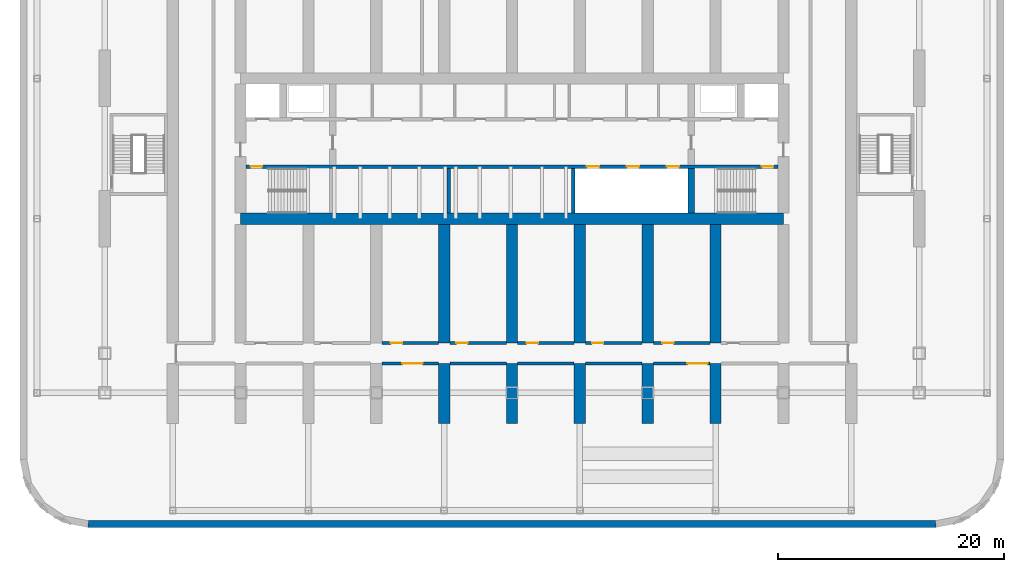
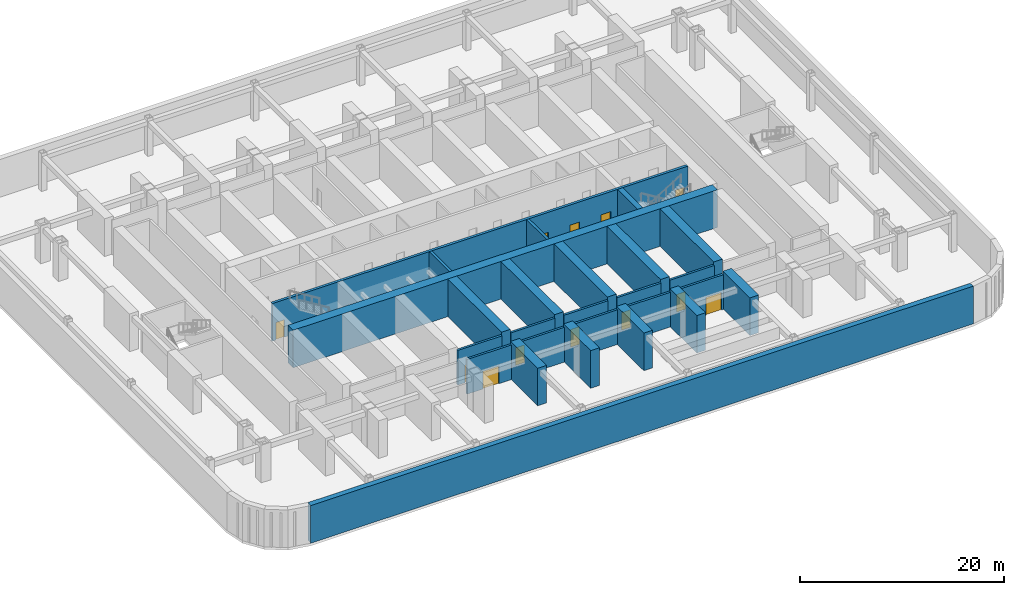
# One storey, part 3 of 16: 26 walls, 12 doors, 12 openings.
"""IFC4 building model written with IfcOpenShell, lengths in metres."""

from ifc_helpers import new_model, si_unit, direction, frame, frame_2d, origin, place, context, subcontext, project, spatial, polyline, rectangle, outline, extrude, material, layer, layer_set, type_object, element, fill, save


model = new_model("IFC4")

# Units and contexts
model_context = context("Model", 3, precision=1e-05, world=origin(), true_north=direction((0.0, 1.0)))
body_context = subcontext(model_context, "Body", "Model", "MODEL_VIEW")
ifc_project = project(units=[si_unit("LENGTHUNIT", "METRE"), si_unit("AREAUNIT", "SQUARE_METRE"), si_unit("VOLUMEUNIT", "CUBIC_METRE"), si_unit("PLANEANGLEUNIT", "RADIAN"), si_unit("MASSUNIT", "GRAM", prefix="KILO")], contexts=[model_context])

# Site, building, storey
site_placement = place(None, origin())
site = spatial("IfcSite", under=ifc_project, at=site_placement, CompositionType="ELEMENT")
building_placement = place(site_placement, origin())
building = spatial("IfcBuilding", under=site, at=building_placement, Name="Orbita Commons", CompositionType="ELEMENT")
storey_placement = place(building_placement, frame((0.0, 0.0, -4.5)))
storey = spatial("IfcBuildingStorey", under=building, at=storey_placement, Name="L-01", CompositionType="ELEMENT", Elevation=-4.5)

# Wall, opening, door
ifc_material_1 = material(Name="Concrete blockwork", Category="masonry")
ifc_layer_1 = layer(ifc_material_1, 0.25)
ifc_layer_set_1 = layer_set([ifc_layer_1], Name="Concrete blockwork")
wall_type_1 = type_object("IfcWallType", Name="Basement wall 250 blockwork", PredefinedType="SOLIDWALL", material=ifc_layer_set_1)
wall_1_placement = place(storey_placement, frame((30.5, 13.0, 0.0), z_axis=(0.0, 0.0, 1.0), x_axis=(1.0, 0.0, 0.0)))
wall_1 = element("IfcWall", 1, at=wall_1_placement, inside=storey, type_object=wall_type_1, Name="Basement wall 250 blockwork L-01", PredefinedType="SOLIDWALL", context=body_context, shape_type="SweptSolid", body=[
    extrude(rectangle(XDim=5.0, YDim=0.25, at=frame_2d((2.5, 0.0))), origin(), (0.0, 0.0, 1.0), 4.14990234375),
])
opening_1_placement = place(wall_1_placement, frame((1.800048828125, 0.0, 0.0)))
opening_1 = element("IfcOpeningElement", 2, at=opening_1_placement, cuts=wall_1, Name="Opening D07", PredefinedType="OPENING", context=body_context, shape_type="SweptSolid", body=[
    extrude(rectangle(XDim=1.800048828125, YDim=2.10009765625, at=frame_2d((0.89990234375, 1.050048828125))), frame((0.0, 0.135009765625, 0.0), z_axis=(0.0, -1.0, 0.0), x_axis=(1.0, 0.0, 0.0)), (0.0, 0.0, 1.0), 0.27001953125),
])
ifc_material_2 = material(Name="Steel-faced fire door leaf", Category="steel")
door_type_1 = type_object("IfcDoorType", Name="Double corridor door 20 min 1800x2100", OperationType="DOUBLE_DOOR_SINGLE_SWING", PredefinedType="DOOR", material=ifc_material_2)
door_1_placement = place(opening_1_placement, origin())
door_1 = element("IfcDoor", 3, at=door_1_placement, inside=storey, type_object=door_type_1, Name="Hall doors south", OperationType="DOUBLE_DOOR_SINGLE_SWING", OverallHeight=2.10009765625, OverallWidth=1.800048828125, PredefinedType="DOOR", context=body_context, shape_type="SweptSolid", body=[
    extrude(rectangle(XDim=1.800048828125, YDim=2.10009765625, at=frame_2d((0.89990234375, 1.050048828125))), frame((0.0, 0.02490234375, 0.0), z_axis=(0.0, -1.0, 0.0), x_axis=(1.0, 0.0, 0.0)), (0.0, 0.0, 1.0), 0.050048828125),
])
fill(opening_1, door_1)

# Walls
for number, where, z_axis, x_axis, name in (
    (4, (36.5, 13.0, 0.0), (0.0, 0.0, 1.0), (1.0, 0.0, 0.0), "Basement wall 250 blockwork L-01"),
    (5, (42.5, 13.0, 0.0), (0.0, 0.0, 1.0), (1.0, 0.0, 0.0), "Basement wall 250 blockwork L-01"),
    (6, (48.5, 13.0, 0.0), (0.0, 0.0, 1.0), (1.0, 0.0, 0.0), "Basement wall 250 blockwork L-01"),
):
    element("IfcWall", number, at=place(storey_placement, frame(where, z_axis=z_axis, x_axis=x_axis)), inside=storey, type_object=wall_type_1, Name=name, PredefinedType="SOLIDWALL", context=body_context, shape_type="SweptSolid", body=[
        extrude(rectangle(XDim=5.0, YDim=0.25, at=frame_2d((2.5, 0.0))), origin(), (0.0, 0.0, 1.0), 4.14990234375),
    ])

# Wall, opening, door
wall_2_placement = place(storey_placement, frame((54.5, 13.0, 0.0), z_axis=(0.0, 0.0, 1.0), x_axis=(1.0, 0.0, 0.0)))
wall_2 = element("IfcWall", 7, at=wall_2_placement, inside=storey, type_object=wall_type_1, Name="Basement wall 250 blockwork L-01", PredefinedType="SOLIDWALL", context=body_context, shape_type="SweptSolid", body=[
    extrude(rectangle(XDim=5.0, YDim=0.25, at=frame_2d((2.5, 0.0))), origin(), (0.0, 0.0, 1.0), 4.14990234375),
])
opening_2_placement = place(wall_2_placement, frame((3.0, 0.0, 0.0)))
opening_2 = element("IfcOpeningElement", 8, at=opening_2_placement, cuts=wall_2, Name="Opening D07", PredefinedType="OPENING", context=body_context, shape_type="SweptSolid", body=[
    extrude(rectangle(XDim=1.800048828125, YDim=2.10009765625, at=frame_2d((0.89990234375, 1.050048828125))), frame((0.0, 0.135009765625, 0.0), z_axis=(0.0, -1.0, 0.0), x_axis=(1.0, 0.0, 0.0)), (0.0, 0.0, 1.0), 0.27001953125),
])
door_2_placement = place(opening_2_placement, origin())
door_2 = element("IfcDoor", 9, at=door_2_placement, inside=storey, type_object=door_type_1, Name="Hall doors south", OperationType="DOUBLE_DOOR_SINGLE_SWING", OverallHeight=2.10009765625, OverallWidth=1.800048828125, PredefinedType="DOOR", context=body_context, shape_type="SweptSolid", body=[
    extrude(rectangle(XDim=1.800048828125, YDim=2.10009765625, at=frame_2d((0.89990234375, 1.050048828125))), frame((0.0, 0.02490234375, 0.0), z_axis=(0.0, -1.0, 0.0), x_axis=(1.0, 0.0, 0.0)), (0.0, 0.0, 1.0), 0.050048828125),
])
fill(opening_2, door_2)

wall_3_placement = place(storey_placement, frame((30.5, 14.800048828125, 0.0), z_axis=(0.0, 0.0, 1.0), x_axis=(1.0, 0.0, 0.0)))
wall_3 = element("IfcWall", 10, at=wall_3_placement, inside=storey, type_object=wall_type_1, Name="Basement wall 250 blockwork L-01", PredefinedType="SOLIDWALL", context=body_context, shape_type="SweptSolid", body=[
    extrude(rectangle(XDim=5.0, YDim=0.25, at=frame_2d((2.5, 0.0))), origin(), (0.0, 0.0, 1.0), 4.14990234375),
])
opening_3_placement = place(wall_3_placement, frame((0.800048828125, 0.0, 0.0)))
opening_3 = element("IfcOpeningElement", 11, at=opening_3_placement, cuts=wall_3, Name="Opening D06", PredefinedType="OPENING", context=body_context, shape_type="SweptSolid", body=[
    extrude(rectangle(XDim=1.0, YDim=2.10009765625, at=frame_2d((0.5, 1.050048828125))), frame((0.0, 0.135009765625, 0.0), z_axis=(0.0, -1.0, 0.0), x_axis=(1.0, 0.0, 0.0)), (0.0, 0.0, 1.0), 0.27001953125),
])
ifc_material_3 = material(Name="Steel-faced fire door leaf", Category="steel")
door_type_2 = type_object("IfcDoorType", Name="Corridor door 20 min 1000x2100", OperationType="SINGLE_SWING_LEFT", PredefinedType="DOOR", material=ifc_material_3)
door_3_placement = place(opening_3_placement, origin())
door_3 = element("IfcDoor", 12, at=door_3_placement, inside=storey, type_object=door_type_2, Name="Room door", OperationType="SINGLE_SWING_LEFT", OverallHeight=2.10009765625, OverallWidth=1.0, PredefinedType="DOOR", context=body_context, shape_type="SweptSolid", body=[
    extrude(rectangle(XDim=1.0, YDim=2.10009765625, at=frame_2d((0.5, 1.050048828125))), frame((0.0, 0.02490234375, 0.0), z_axis=(0.0, -1.0, 0.0), x_axis=(1.0, 0.0, 0.0)), (0.0, 0.0, 1.0), 0.050048828125),
])
fill(opening_3, door_3)

wall_4_placement = place(storey_placement, frame((36.5, 14.800048828125, 0.0), z_axis=(0.0, 0.0, 1.0), x_axis=(1.0, 0.0, 0.0)))
wall_4 = element("IfcWall", 13, at=wall_4_placement, inside=storey, type_object=wall_type_1, Name="Basement wall 250 blockwork L-01", PredefinedType="SOLIDWALL", context=body_context, shape_type="SweptSolid", body=[
    extrude(rectangle(XDim=5.0, YDim=0.25, at=frame_2d((2.5, 0.0))), origin(), (0.0, 0.0, 1.0), 4.14990234375),
])
opening_4_placement = place(wall_4_placement, frame((0.574951171875, 0.0, 0.0)))
opening_4 = element("IfcOpeningElement", 14, at=opening_4_placement, cuts=wall_4, Name="Opening D06", PredefinedType="OPENING", context=body_context, shape_type="SweptSolid", body=[
    extrude(rectangle(XDim=1.0, YDim=2.10009765625, at=frame_2d((0.5, 1.050048828125))), frame((0.0, 0.135009765625, 0.0), z_axis=(0.0, -1.0, 0.0), x_axis=(1.0, 0.0, 0.0)), (0.0, 0.0, 1.0), 0.27001953125),
])
door_4_placement = place(opening_4_placement, origin())
door_4 = element("IfcDoor", 15, at=door_4_placement, inside=storey, type_object=door_type_2, Name="Room door", OperationType="SINGLE_SWING_LEFT", OverallHeight=2.10009765625, OverallWidth=1.0, PredefinedType="DOOR", context=body_context, shape_type="SweptSolid", body=[
    extrude(rectangle(XDim=1.0, YDim=2.10009765625, at=frame_2d((0.5, 1.050048828125))), frame((0.0, 0.02490234375, 0.0), z_axis=(0.0, -1.0, 0.0), x_axis=(1.0, 0.0, 0.0)), (0.0, 0.0, 1.0), 0.050048828125),
])
fill(opening_4, door_4)

wall_5_placement = place(storey_placement, frame((42.5, 14.800048828125, 0.0), z_axis=(0.0, 0.0, 1.0), x_axis=(1.0, 0.0, 0.0)))
wall_5 = element("IfcWall", 16, at=wall_5_placement, inside=storey, type_object=wall_type_1, Name="Basement wall 250 blockwork L-01", PredefinedType="SOLIDWALL", context=body_context, shape_type="SweptSolid", body=[
    extrude(rectangle(XDim=5.0, YDim=0.25, at=frame_2d((2.5, 0.0))), origin(), (0.0, 0.0, 1.0), 4.14990234375),
])
opening_5_placement = place(wall_5_placement, frame((0.800048828125, 0.0, 0.0)))
opening_5 = element("IfcOpeningElement", 17, at=opening_5_placement, cuts=wall_5, Name="Opening D06", PredefinedType="OPENING", context=body_context, shape_type="SweptSolid", body=[
    extrude(rectangle(XDim=1.0, YDim=2.10009765625, at=frame_2d((0.5, 1.050048828125))), frame((0.0, 0.135009765625, 0.0), z_axis=(0.0, -1.0, 0.0), x_axis=(1.0, 0.0, 0.0)), (0.0, 0.0, 1.0), 0.27001953125),
])
door_5_placement = place(opening_5_placement, origin())
door_5 = element("IfcDoor", 18, at=door_5_placement, inside=storey, type_object=door_type_2, Name="Room door", OperationType="SINGLE_SWING_LEFT", OverallHeight=2.10009765625, OverallWidth=1.0, PredefinedType="DOOR", context=body_context, shape_type="SweptSolid", body=[
    extrude(rectangle(XDim=1.0, YDim=2.10009765625, at=frame_2d((0.5, 1.050048828125))), frame((0.0, 0.02490234375, 0.0), z_axis=(0.0, -1.0, 0.0), x_axis=(1.0, 0.0, 0.0)), (0.0, 0.0, 1.0), 0.050048828125),
])
fill(opening_5, door_5)

wall_6_placement = place(storey_placement, frame((48.5, 14.800048828125, 0.0), z_axis=(0.0, 0.0, 1.0), x_axis=(1.0, 0.0, 0.0)))
wall_6 = element("IfcWall", 19, at=wall_6_placement, inside=storey, type_object=wall_type_1, Name="Basement wall 250 blockwork L-01", PredefinedType="SOLIDWALL", context=body_context, shape_type="SweptSolid", body=[
    extrude(rectangle(XDim=5.0, YDim=0.25, at=frame_2d((2.5, 0.0))), origin(), (0.0, 0.0, 1.0), 4.14990234375),
])
opening_6_placement = place(wall_6_placement, frame((0.574951171875, 0.0, 0.0)))
opening_6 = element("IfcOpeningElement", 20, at=opening_6_placement, cuts=wall_6, Name="Opening D06", PredefinedType="OPENING", context=body_context, shape_type="SweptSolid", body=[
    extrude(rectangle(XDim=1.0, YDim=2.10009765625, at=frame_2d((0.5, 1.050048828125))), frame((0.0, 0.135009765625, 0.0), z_axis=(0.0, -1.0, 0.0), x_axis=(1.0, 0.0, 0.0)), (0.0, 0.0, 1.0), 0.27001953125),
])
door_6_placement = place(opening_6_placement, origin())
door_6 = element("IfcDoor", 21, at=door_6_placement, inside=storey, type_object=door_type_2, Name="Room door", OperationType="SINGLE_SWING_LEFT", OverallHeight=2.10009765625, OverallWidth=1.0, PredefinedType="DOOR", context=body_context, shape_type="SweptSolid", body=[
    extrude(rectangle(XDim=1.0, YDim=2.10009765625, at=frame_2d((0.5, 1.050048828125))), frame((0.0, 0.02490234375, 0.0), z_axis=(0.0, -1.0, 0.0), x_axis=(1.0, 0.0, 0.0)), (0.0, 0.0, 1.0), 0.050048828125),
])
fill(opening_6, door_6)

wall_7_placement = place(storey_placement, frame((54.5, 14.800048828125, 0.0), z_axis=(0.0, 0.0, 1.0), x_axis=(1.0, 0.0, 0.0)))
wall_7 = element("IfcWall", 22, at=wall_7_placement, inside=storey, type_object=wall_type_1, Name="Basement wall 250 blockwork L-01", PredefinedType="SOLIDWALL", context=body_context, shape_type="SweptSolid", body=[
    extrude(rectangle(XDim=5.0, YDim=0.25, at=frame_2d((2.5, 0.0))), origin(), (0.0, 0.0, 1.0), 4.14990234375),
])
opening_7_placement = place(wall_7_placement, frame((0.800048828125, 0.0, 0.0)))
opening_7 = element("IfcOpeningElement", 23, at=opening_7_placement, cuts=wall_7, Name="Opening D06", PredefinedType="OPENING", context=body_context, shape_type="SweptSolid", body=[
    extrude(rectangle(XDim=1.0, YDim=2.10009765625, at=frame_2d((0.5, 1.050048828125))), frame((0.0, 0.135009765625, 0.0), z_axis=(0.0, -1.0, 0.0), x_axis=(1.0, 0.0, 0.0)), (0.0, 0.0, 1.0), 0.27001953125),
])
door_7_placement = place(opening_7_placement, origin())
door_7 = element("IfcDoor", 24, at=door_7_placement, inside=storey, type_object=door_type_2, Name="Room door", OperationType="SINGLE_SWING_LEFT", OverallHeight=2.10009765625, OverallWidth=1.0, PredefinedType="DOOR", context=body_context, shape_type="SweptSolid", body=[
    extrude(rectangle(XDim=1.0, YDim=2.10009765625, at=frame_2d((0.5, 1.050048828125))), frame((0.0, 0.02490234375, 0.0), z_axis=(0.0, -1.0, 0.0), x_axis=(1.0, 0.0, 0.0)), (0.0, 0.0, 1.0), 0.050048828125),
])
fill(opening_7, door_7)

# Wall, openings, doors
ifc_material_4 = material(Name="Concrete C50/60", Category="concrete")
ifc_layer_2 = layer(ifc_material_4, 0.300048828125)
ifc_layer_set_2 = layer_set([ifc_layer_2], Name="Concrete C50/60")
wall_type_2 = type_object("IfcWallType", Name="Core inner wall 300 C50/60", PredefinedType="SHEAR", material=ifc_layer_set_2)
wall_8_placement = place(storey_placement, frame((18.5, 30.39990234375, 0.0), z_axis=(0.0, 0.0, 1.0), x_axis=(1.0, 0.0, 0.0)))
wall_8 = element("IfcWall", 25, at=wall_8_placement, inside=storey, type_object=wall_type_2, Name="Lobby wall south L-01", PredefinedType="SHEAR", context=body_context, shape_type="SweptSolid", body=[
    extrude(rectangle(XDim=47.0, YDim=0.300048828125, at=frame_2d((23.5, 0.0))), origin(), (0.0, 0.0, 1.0), 4.5),
])
opening_8_placement = place(wall_8_placement, frame((0.39990234375, 0.0, 0.0)))
opening_8 = element("IfcOpeningElement", 26, at=opening_8_placement, cuts=wall_8, Name="Opening D02", PredefinedType="OPENING", context=body_context, shape_type="SweptSolid", body=[
    extrude(rectangle(XDim=1.0, YDim=2.10009765625, at=frame_2d((0.5, 1.050048828125))), frame((0.0, 0.159912109375, 0.0), z_axis=(0.0, -1.0, 0.0), x_axis=(1.0, 0.0, 0.0)), (0.0, 0.0, 1.0), 0.320068359375),
])
opening_9_placement = place(wall_8_placement, frame((45.60009765625, 0.0, 0.0)))
opening_9 = element("IfcOpeningElement", 27, at=opening_9_placement, cuts=wall_8, Name="Opening D02", PredefinedType="OPENING", context=body_context, shape_type="SweptSolid", body=[
    extrude(rectangle(XDim=1.0, YDim=2.10009765625, at=frame_2d((0.5, 1.050048828125))), frame((0.0, 0.159912109375, 0.0), z_axis=(0.0, -1.0, 0.0), x_axis=(1.0, 0.0, 0.0)), (0.0, 0.0, 1.0), 0.320068359375),
])
opening_10_placement = place(wall_8_placement, frame((30.11669921875, 0.0, 0.0)))
opening_10 = element("IfcOpeningElement", 28, at=opening_10_placement, cuts=wall_8, Name="Opening LD02", PredefinedType="OPENING", context=body_context, shape_type="SweptSolid", body=[
    extrude(rectangle(XDim=1.10009765625, YDim=2.10009765625, at=frame_2d((0.550048828125, 1.050048828125))), frame((0.0, 0.159912109375, 0.0), z_axis=(0.0, -1.0, 0.0), x_axis=(1.0, 0.0, 0.0)), (0.0, 0.0, 1.0), 0.320068359375),
])
opening_11_placement = place(wall_8_placement, frame((33.64990234375, 0.0, 0.0)))
opening_11 = element("IfcOpeningElement", 29, at=opening_11_placement, cuts=wall_8, Name="Opening LD02", PredefinedType="OPENING", context=body_context, shape_type="SweptSolid", body=[
    extrude(rectangle(XDim=1.10009765625, YDim=2.10009765625, at=frame_2d((0.550048828125, 1.050048828125))), frame((0.0, 0.159912109375, 0.0), z_axis=(0.0, -1.0, 0.0), x_axis=(1.0, 0.0, 0.0)), (0.0, 0.0, 1.0), 0.320068359375),
])
opening_12_placement = place(wall_8_placement, frame((37.183349609375, 0.0, 0.0)))
opening_12 = element("IfcOpeningElement", 30, at=opening_12_placement, cuts=wall_8, Name="Opening LD02", PredefinedType="OPENING", context=body_context, shape_type="SweptSolid", body=[
    extrude(rectangle(XDim=1.10009765625, YDim=2.10009765625, at=frame_2d((0.550048828125, 1.050048828125))), frame((0.0, 0.159912109375, 0.0), z_axis=(0.0, -1.0, 0.0), x_axis=(1.0, 0.0, 0.0)), (0.0, 0.0, 1.0), 0.320068359375),
])
ifc_material_5 = material(Name="Steel-faced fire door leaf", Category="steel")
door_type_3 = type_object("IfcDoorType", Name="Fire door 90 min 1000x2100", OperationType="SINGLE_SWING_LEFT", PredefinedType="DOOR", material=ifc_material_5)
door_8_placement = place(opening_8_placement, origin())
door_8 = element("IfcDoor", 31, at=door_8_placement, inside=storey, type_object=door_type_3, Name="Stair S1 door", OperationType="SINGLE_SWING_LEFT", OverallHeight=2.10009765625, OverallWidth=1.0, PredefinedType="DOOR", context=body_context, shape_type="SweptSolid", body=[
    extrude(rectangle(XDim=1.0, YDim=2.10009765625, at=frame_2d((0.5, 1.050048828125))), frame((0.0, 0.02490234375, 0.0), z_axis=(0.0, -1.0, 0.0), x_axis=(1.0, 0.0, 0.0)), (0.0, 0.0, 1.0), 0.050048828125),
])
fill(opening_8, door_8)
door_9_placement = place(opening_9_placement, origin())
door_9 = element("IfcDoor", 32, at=door_9_placement, inside=storey, type_object=door_type_3, Name="Stair S2 door", OperationType="SINGLE_SWING_LEFT", OverallHeight=2.10009765625, OverallWidth=1.0, PredefinedType="DOOR", context=body_context, shape_type="SweptSolid", body=[
    extrude(rectangle(XDim=1.0, YDim=2.10009765625, at=frame_2d((0.5, 1.050048828125))), frame((0.0, 0.02490234375, 0.0), z_axis=(0.0, -1.0, 0.0), x_axis=(1.0, 0.0, 0.0)), (0.0, 0.0, 1.0), 0.050048828125),
])
fill(opening_9, door_9)
ifc_material_6 = material(Name="Steel-faced fire door leaf", Category="steel")
door_type_4 = type_object("IfcDoorType", Name="Lift landing door 1100x2100", OperationType="DOUBLE_DOOR_SLIDING", PredefinedType="DOOR", material=ifc_material_6)
door_10_placement = place(opening_10_placement, origin())
door_10 = element("IfcDoor", 33, at=door_10_placement, inside=storey, type_object=door_type_4, Name="Lift SV1 landing door", OperationType="DOUBLE_DOOR_SLIDING", OverallHeight=2.10009765625, OverallWidth=1.10009765625, PredefinedType="DOOR", context=body_context, shape_type="SweptSolid", body=[
    extrude(rectangle(XDim=1.10009765625, YDim=2.10009765625, at=frame_2d((0.550048828125, 1.050048828125))), frame((0.0, 0.02490234375, 0.0), z_axis=(0.0, -1.0, 0.0), x_axis=(1.0, 0.0, 0.0)), (0.0, 0.0, 1.0), 0.050048828125),
])
fill(opening_10, door_10)
door_11_placement = place(opening_11_placement, origin())
door_11 = element("IfcDoor", 34, at=door_11_placement, inside=storey, type_object=door_type_4, Name="Lift SV2 landing door", OperationType="DOUBLE_DOOR_SLIDING", OverallHeight=2.10009765625, OverallWidth=1.10009765625, PredefinedType="DOOR", context=body_context, shape_type="SweptSolid", body=[
    extrude(rectangle(XDim=1.10009765625, YDim=2.10009765625, at=frame_2d((0.550048828125, 1.050048828125))), frame((0.0, 0.02490234375, 0.0), z_axis=(0.0, -1.0, 0.0), x_axis=(1.0, 0.0, 0.0)), (0.0, 0.0, 1.0), 0.050048828125),
])
fill(opening_11, door_11)
door_12_placement = place(opening_12_placement, origin())
door_12 = element("IfcDoor", 35, at=door_12_placement, inside=storey, type_object=door_type_4, Name="Lift SV3 landing door", OperationType="DOUBLE_DOOR_SLIDING", OverallHeight=2.10009765625, OverallWidth=1.10009765625, PredefinedType="DOOR", context=body_context, shape_type="SweptSolid", body=[
    extrude(rectangle(XDim=1.10009765625, YDim=2.10009765625, at=frame_2d((0.550048828125, 1.050048828125))), frame((0.0, 0.02490234375, 0.0), z_axis=(0.0, -1.0, 0.0), x_axis=(1.0, 0.0, 0.0)), (0.0, 0.0, 1.0), 0.050048828125),
])
fill(opening_12, door_12)

# Walls
for number, where, z_axis, x_axis, name in (
    (36, (36.39990234375, 26.300048828125, 0.0), (0.0, 0.0, 1.0), (0.0, 1.0, 0.0), "Hoistway division wall L-01"),
    (37, (47.39990234375, 26.300048828125, 0.0), (0.0, 0.0, 1.0), (0.0, 1.0, 0.0), "Hoistway division wall L-01"),
):
    element("IfcWall", number, at=place(storey_placement, frame(where, z_axis=z_axis, x_axis=x_axis)), inside=storey, type_object=wall_type_2, Name=name, PredefinedType="SHEAR", context=body_context, shape_type="SweptSolid", body=[
        extrude(rectangle(XDim=3.949951171875, YDim=0.300048828125, at=frame_2d((1.97509765625, 0.0))), origin(), (0.0, 0.0, 1.0), 4.5),
    ])
ifc_material_7 = material(Name="Concrete C50/60", Category="concrete")
ifc_layer_3 = layer(ifc_material_7, 0.60009765625)
ifc_layer_set_3 = layer_set([ifc_layer_3], Name="Concrete C50/60")
wall_type_3 = type_object("IfcWallType", Name="Core inner wall 600 C50/60", PredefinedType="SHEAR", material=ifc_layer_set_3)
wall_9_placement = place(storey_placement, frame((57.85009765625, 26.300048828125, 0.0), z_axis=(0.0, 0.0, 1.0), x_axis=(0.0, 1.0, 0.0)))
element("IfcWall", 38, at=wall_9_placement, inside=storey, type_object=wall_type_3, Name="Stair S2 wall L-01", PredefinedType="SHEAR", context=body_context, shape_type="SweptSolid", body=[
    extrude(rectangle(XDim=3.949951171875, YDim=0.60009765625, at=frame_2d((1.97509765625, 0.0))), origin(), (0.0, 0.0, 1.0), 4.5),
])
ifc_material_8 = material(Name="Concrete C50/60", Category="concrete")
ifc_layer_4 = layer(ifc_material_8, 1.0)
ifc_layer_set_4 = layer_set([ifc_layer_4], Name="Concrete C50/60")
wall_type_4 = type_object("IfcWallType", Name="Core wall 1000 C50/60", PredefinedType="SHEAR", material=ifc_layer_set_4)
wall_10_placement = place(storey_placement, frame((18.0, 25.800048828125, 0.0), z_axis=(0.0, 0.0, 1.0), x_axis=(1.0, 0.0, 0.0)))
element("IfcWall", 39, at=wall_10_placement, inside=storey, type_object=wall_type_4, Name="Core spine wall south L-01", PredefinedType="SHEAR", context=body_context, shape_type="SweptSolid", body=[
    extrude(rectangle(XDim=48.0, YDim=1.0, at=frame_2d((24.0, 0.0))), origin(), (0.0, 0.0, 1.0), 4.5),
])
ifc_material_9 = material(Name="Concrete C50/60", Category="concrete")
ifc_layer_5 = layer(ifc_material_9, 1.0)
ifc_layer_set_5 = layer_set([ifc_layer_5], Name="Concrete C50/60")
wall_type_5 = type_object("IfcWallType", Name="Cross wall 1000 C50/60", PredefinedType="SHEAR", material=ifc_layer_set_5)
wall_11_placement = place(storey_placement, frame((36.0, 7.699951171875, 0.0), z_axis=(0.0, 0.0, 1.0), x_axis=(0.0, 1.0, 0.0)))
element("IfcWall", 40, at=wall_11_placement, inside=storey, type_object=wall_type_5, Name="Cross wall 7 south outer L-01", PredefinedType="SHEAR", context=body_context, shape_type="SweptSolid", body=[
    extrude(rectangle(XDim=5.300048828125, YDim=1.0, at=frame_2d((2.64990234375, 0.0))), origin(), (0.0, 0.0, 1.0), 4.5),
])
wall_12_placement = place(storey_placement, frame((36.0, 14.800048828125, 0.0), z_axis=(0.0, 0.0, 1.0), x_axis=(0.0, 1.0, 0.0)))
element("IfcWall", 41, at=wall_12_placement, inside=storey, type_object=wall_type_5, Name="Cross wall 7 south inner L-01", PredefinedType="SHEAR", context=body_context, shape_type="SweptSolid", body=[
    extrude(rectangle(XDim=10.5, YDim=1.0, at=frame_2d((5.25, 0.0))), origin(), (0.0, 0.0, 1.0), 4.5),
])
wall_13_placement = place(storey_placement, frame((42.0, 7.699951171875, 0.0), z_axis=(0.0, 0.0, 1.0), x_axis=(0.0, 1.0, 0.0)))
element("IfcWall", 42, at=wall_13_placement, inside=storey, type_object=wall_type_5, Name="Cross wall 8 south outer L-01", PredefinedType="SHEAR", context=body_context, shape_type="SweptSolid", body=[
    extrude(rectangle(XDim=5.300048828125, YDim=1.0, at=frame_2d((2.64990234375, 0.0))), origin(), (0.0, 0.0, 1.0), 4.5),
])
wall_14_placement = place(storey_placement, frame((42.0, 14.800048828125, 0.0), z_axis=(0.0, 0.0, 1.0), x_axis=(0.0, 1.0, 0.0)))
element("IfcWall", 43, at=wall_14_placement, inside=storey, type_object=wall_type_5, Name="Cross wall 8 south inner L-01", PredefinedType="SHEAR", context=body_context, shape_type="SweptSolid", body=[
    extrude(rectangle(XDim=10.5, YDim=1.0, at=frame_2d((5.25, 0.0))), origin(), (0.0, 0.0, 1.0), 4.5),
])
wall_15_placement = place(storey_placement, frame((48.0, 7.699951171875, 0.0), z_axis=(0.0, 0.0, 1.0), x_axis=(0.0, 1.0, 0.0)))
element("IfcWall", 44, at=wall_15_placement, inside=storey, type_object=wall_type_5, Name="Cross wall 9 south outer L-01", PredefinedType="SHEAR", context=body_context, shape_type="SweptSolid", body=[
    extrude(rectangle(XDim=5.300048828125, YDim=1.0, at=frame_2d((2.64990234375, 0.0))), origin(), (0.0, 0.0, 1.0), 4.5),
])
wall_16_placement = place(storey_placement, frame((48.0, 14.800048828125, 0.0), z_axis=(0.0, 0.0, 1.0), x_axis=(0.0, 1.0, 0.0)))
element("IfcWall", 45, at=wall_16_placement, inside=storey, type_object=wall_type_5, Name="Cross wall 9 south inner L-01", PredefinedType="SHEAR", context=body_context, shape_type="SweptSolid", body=[
    extrude(rectangle(XDim=10.5, YDim=1.0, at=frame_2d((5.25, 0.0))), origin(), (0.0, 0.0, 1.0), 4.5),
])
wall_17_placement = place(storey_placement, frame((54.0, 7.699951171875, 0.0), z_axis=(0.0, 0.0, 1.0), x_axis=(0.0, 1.0, 0.0)))
element("IfcWall", 46, at=wall_17_placement, inside=storey, type_object=wall_type_5, Name="Cross wall 10 south outer L-01", PredefinedType="SHEAR", context=body_context, shape_type="SweptSolid", body=[
    extrude(rectangle(XDim=5.300048828125, YDim=1.0, at=frame_2d((2.64990234375, 0.0))), origin(), (0.0, 0.0, 1.0), 4.5),
])
wall_18_placement = place(storey_placement, frame((54.0, 14.800048828125, 0.0), z_axis=(0.0, 0.0, 1.0), x_axis=(0.0, 1.0, 0.0)))
element("IfcWall", 47, at=wall_18_placement, inside=storey, type_object=wall_type_5, Name="Cross wall 10 south inner L-01", PredefinedType="SHEAR", context=body_context, shape_type="SweptSolid", body=[
    extrude(rectangle(XDim=10.5, YDim=1.0, at=frame_2d((5.25, 0.0))), origin(), (0.0, 0.0, 1.0), 4.5),
])
wall_19_placement = place(storey_placement, frame((60.0, 7.699951171875, 0.0), z_axis=(0.0, 0.0, 1.0), x_axis=(0.0, 1.0, 0.0)))
element("IfcWall", 48, at=wall_19_placement, inside=storey, type_object=wall_type_5, Name="Cross wall 11 south outer L-01", PredefinedType="SHEAR", context=body_context, shape_type="SweptSolid", body=[
    extrude(rectangle(XDim=5.300048828125, YDim=1.0, at=frame_2d((2.64990234375, 0.0))), origin(), (0.0, 0.0, 1.0), 4.5),
])
wall_20_placement = place(storey_placement, frame((60.0, 14.800048828125, 0.0), z_axis=(0.0, 0.0, 1.0), x_axis=(0.0, 1.0, 0.0)))
element("IfcWall", 49, at=wall_20_placement, inside=storey, type_object=wall_type_5, Name="Cross wall 11 south inner L-01", PredefinedType="SHEAR", context=body_context, shape_type="SweptSolid", body=[
    extrude(rectangle(XDim=10.5, YDim=1.0, at=frame_2d((5.25, 0.0))), origin(), (0.0, 0.0, 1.0), 4.5),
])
ifc_material_10 = material(Name="Concrete C50/60", Category="concrete")
ifc_layer_6 = layer(ifc_material_10, 0.60009765625)
ifc_layer_set_6 = layer_set([ifc_layer_6], Name="Concrete C50/60")
wall_type_6 = type_object("IfcWallType", Name="Retaining wall 600 C50/60", PredefinedType="SOLIDWALL", material=ifc_layer_set_6)
wall_21_placement = place(storey_placement, frame((4.529541015625, -1.199951171875, 0.0), z_axis=(0.0, 0.0, 1.0), x_axis=(1.0, 0.0, 0.0)))
element("IfcWall", 50, at=wall_21_placement, inside=storey, type_object=wall_type_6, Name="Basement retaining wall L-01 20", PredefinedType="SOLIDWALL", context=body_context, shape_type="SweptSolid", body=[
    extrude(outline(polyline([(-0.029541015625, -0.300048828125), (74.970458984375, -0.300048828125), (74.911376953125, 0.300048828125), (0.029541015625, 0.300048828125), (-0.029541015625, -0.300048828125)])), origin(), (0.0, 0.0, 1.0), 4.5),
])

save(model, "model.ifc")
